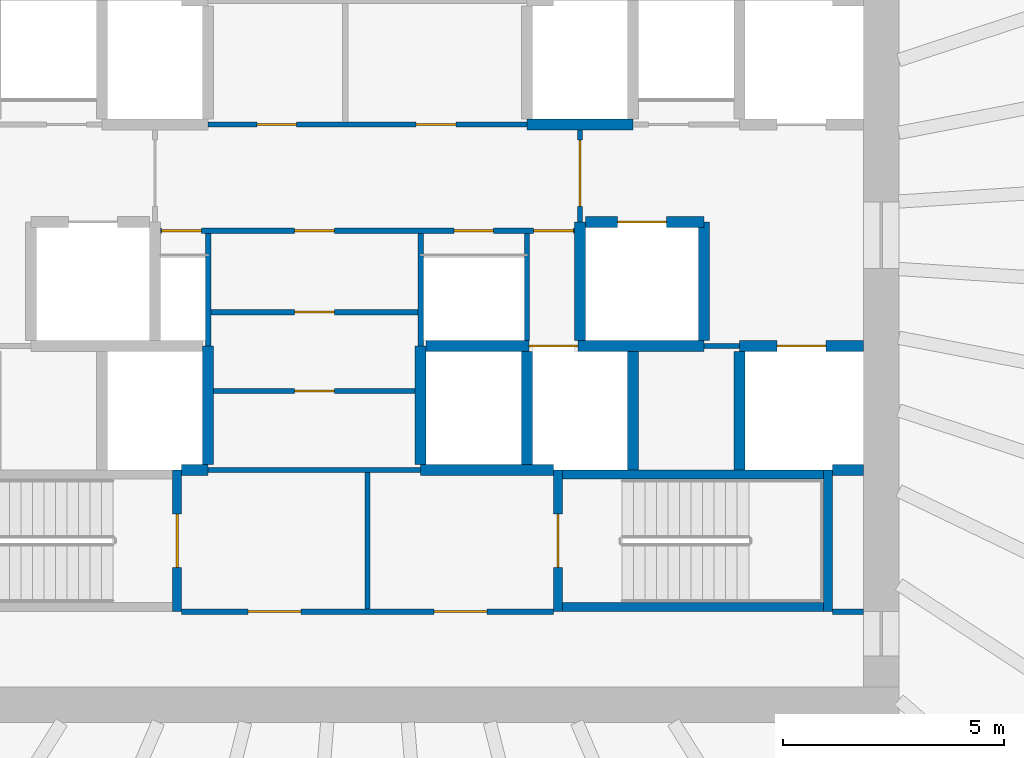
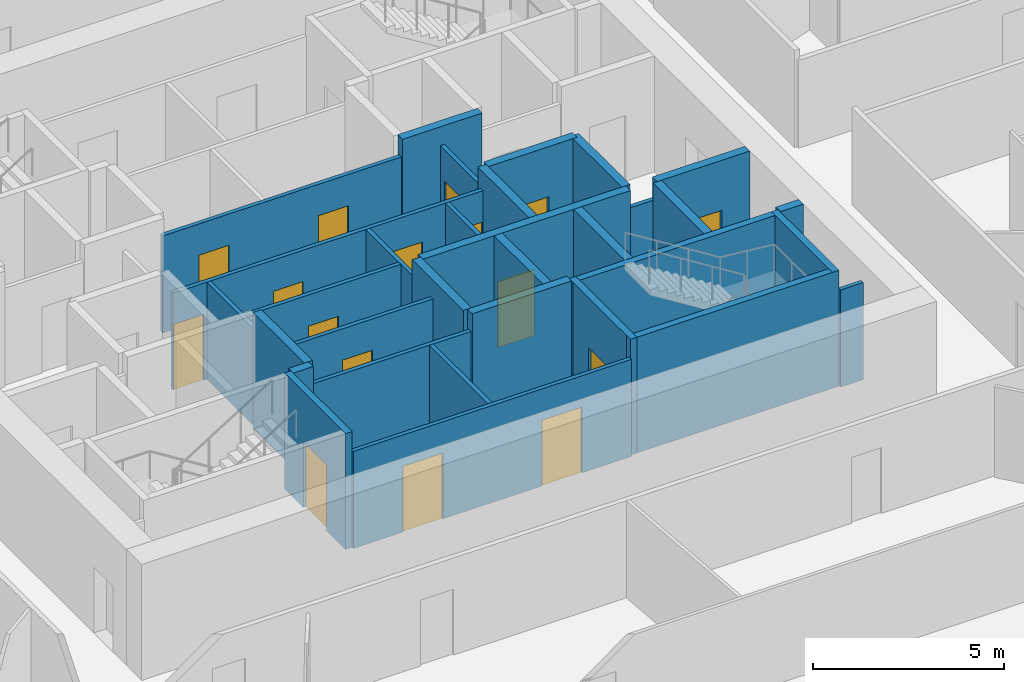
# One storey, part 7 of 11: 32 walls, 16 doors, 16 openings.
"""IFC4 building model written with IfcOpenShell, lengths in metres."""

from ifc_helpers import new_model, si_unit, direction, frame, frame_2d, origin, place, context, subcontext, project, spatial, rectangle, extrude, source, transform, mapped, material, layer, layer_set, type_object, element, fill, save


model = new_model("IFC4")

# Units and contexts
model_context = context("Model", 3, precision=1e-05, world=origin(), true_north=direction((0.0, 1.0)))
body_context = subcontext(model_context, "Body", "Model", "MODEL_VIEW")
ifc_project = project(units=[si_unit("LENGTHUNIT", "METRE"), si_unit("AREAUNIT", "SQUARE_METRE"), si_unit("VOLUMEUNIT", "CUBIC_METRE"), si_unit("PLANEANGLEUNIT", "RADIAN"), si_unit("MASSUNIT", "GRAM", prefix="KILO")], contexts=[model_context])

# Site, building, storey
site_placement = place(None, origin())
site = spatial("IfcSite", under=ifc_project, at=site_placement, CompositionType="ELEMENT")
building_placement = place(site_placement, origin())
building = spatial("IfcBuilding", under=site, at=building_placement, Name="Embergate Tower", CompositionType="ELEMENT")
storey_placement = place(building_placement, frame((0.0, 0.0, 187.199951171875)))
storey = spatial("IfcBuildingStorey", under=building, at=storey_placement, Name="L42", CompositionType="ELEMENT", Elevation=187.199951171875)

# Walls
ifc_material_1 = material(Name="Concrete C50", Category="concrete")
ifc_layer_1 = layer(ifc_material_1, 0.25)
ifc_layer_set_1 = layer_set([ifc_layer_1], Name="Concrete C50")
wall_type_1 = type_object("IfcWallType", Name="Hoistway wall reinforced concrete 250", PredefinedType="SHEAR", material=ifc_layer_set_1)
shared_shape_1 = source(origin(), body_context, "Body", "SweptSolid", [
    extrude(rectangle(XDim=2.675048828125, YDim=0.25, at=frame_2d((1.33740234375, 0.0))), origin(), (0.0, 0.0, 1.0), 3.699951171875),
])
for number, where, z_axis, x_axis, name in (
    (1, (-3.60009765625, -5.175048828125, 0.0), (0.0, 0.0, 1.0), (0.0, 1.0, 0.0), "HW-1 wall"),
    (2, (1.199951171875, -2.5, 0.0), (0.0, 0.0, 1.0), (0.0, -1.0, 0.0), "HW-1 wall"),
    (3, (4.800048828125, -2.375, 0.0), (0.0, 0.0, 1.0), (0.0, 1.0, 0.0), "HW-1 wall"),
):
    element("IfcWall", number, at=place(storey_placement, frame(where, z_axis=z_axis, x_axis=x_axis)), inside=storey, type_object=wall_type_1, Name=name, PredefinedType="SHEAR", context=body_context, shape_type="MappedRepresentation", body=[
        mapped(shared_shape_1, transform((0.0, 0.0, 0.0))),
    ])

# Wall, opening, door
wall_1_placement = place(storey_placement, frame((7.60009765625, 0.300048828125, 0.0), z_axis=(0.0, 0.0, 1.0), x_axis=(-1.0, 0.0, 0.0)))
wall_1 = element("IfcWall", 4, at=wall_1_placement, inside=storey, type_object=wall_type_1, Name="HW-1 wall", PredefinedType="SHEAR", context=body_context, shape_type="MappedRepresentation", body=[
    mapped(shared_shape_1, transform((0.0, 0.0, 0.0))),
])
shared_shape_2 = source(origin(), body_context, "Body", "SweptSolid", [
    extrude(rectangle(XDim=1.10009765625, YDim=2.10009765625, at=frame_2d((0.550048828125, 1.050048828125))), frame((0.0, 0.135009765625, 0.0), z_axis=(0.0, -1.0, 0.0), x_axis=(1.0, 0.0, 0.0)), (0.0, 0.0, 1.0), 0.27001953125),
])
opening_1_placement = place(wall_1_placement, frame((0.85009765625, 0.0, 0.0)))
opening_1 = element("IfcOpeningElement", 5, at=opening_1_placement, cuts=wall_1, Name="Opening LD", PredefinedType="OPENING", context=body_context, shape_type="MappedRepresentation", body=[
    mapped(shared_shape_2, transform((0.0, 0.0, 0.0))),
])
ifc_material_2 = material(Name="Landing door sliding 1100")
door_type_1 = type_object("IfcDoorType", Name="Landing door sliding 1100", OperationType="SLIDING_TO_LEFT", PredefinedType="DOOR", material=ifc_material_2)
shared_shape_3 = source(origin(), body_context, "Body", "SweptSolid", [
    extrude(rectangle(XDim=1.10009765625, YDim=2.10009765625, at=frame_2d((0.550048828125, 1.050048828125))), frame((0.0, 0.02490234375, 0.0), z_axis=(0.0, -1.0, 0.0), x_axis=(1.0, 0.0, 0.0)), (0.0, 0.0, 1.0), 0.050048828125),
])
door_1_placement = place(opening_1_placement, origin())
door_1 = element("IfcDoor", 6, at=door_1_placement, inside=storey, type_object=door_type_1, Name="LD door", OperationType="SLIDING_TO_LEFT", OverallHeight=2.10009765625, OverallWidth=1.10009765625, PredefinedType="DOOR", context=body_context, shape_type="MappedRepresentation", body=[
    mapped(shared_shape_3, transform((0.0, 0.0, 0.0))),
])
fill(opening_1, door_1)

# Walls
wall_2_placement = place(storey_placement, frame((7.60009765625, -2.375, 0.0), z_axis=(0.0, 0.0, 1.0), x_axis=(0.0, 1.0, 0.0)))
element("IfcWall", 7, at=wall_2_placement, inside=storey, type_object=wall_type_1, Name="HW-1 wall", PredefinedType="SHEAR", context=body_context, shape_type="MappedRepresentation", body=[
    mapped(shared_shape_1, transform((0.0, 0.0, 0.0))),
])
ifc_layer_2 = layer(ifc_material_1, 0.199951171875)
ifc_layer_set_2 = layer_set([ifc_layer_2], Name="Concrete C50")
wall_type_2 = type_object("IfcWallType", Name="Stair enclosure wall reinforced concrete 250", PredefinedType="SHEAR", material=ifc_layer_set_2)
shared_shape_4 = source(origin(), body_context, "Body", "SweptSolid", [
    extrude(rectangle(XDim=6.300048828125, YDim=0.199951171875, at=frame_2d((3.14990234375, 0.0))), origin(), (0.0, 0.0, 1.0), 3.699951171875),
])
for number, where, z_axis, x_axis, name in (
    (8, (4.199951171875, -5.39990234375, 0.0), (0.0, 0.0, 1.0), (1.0, 0.0, 0.0), "SE-1 wall"),
    (9, (4.199951171875, -8.39990234375, 0.0), (0.0, 0.0, 1.0), (1.0, 0.0, 0.0), "SE-1 wall"),
):
    element("IfcWall", number, at=place(storey_placement, frame(where, z_axis=z_axis, x_axis=x_axis)), inside=storey, type_object=wall_type_2, Name=name, PredefinedType="SHEAR", context=body_context, shape_type="MappedRepresentation", body=[
        mapped(shared_shape_4, transform((0.0, 0.0, 0.0))),
    ])
shared_shape_5 = source(origin(), body_context, "Body", "SweptSolid", [
    extrude(rectangle(XDim=2.550048828125, YDim=0.25, at=frame_2d((1.27490234375, 0.0))), origin(), (0.0, 0.0, 1.0), 3.699951171875),
])
wall_3_placement = place(storey_placement, frame((3.60009765625, -5.175048828125, 0.0), z_axis=(0.0, 0.0, 1.0), x_axis=(0.0, 1.0, 0.0)))
element("IfcWall", 10, at=wall_3_placement, inside=storey, type_object=wall_type_1, Name="HW-1 wall", PredefinedType="SHEAR", context=body_context, shape_type="MappedRepresentation", body=[
    mapped(shared_shape_5, transform((0.0, 0.0, 0.0))),
])

# Wall, opening, door
ifc_material_3 = material(Name="Core partition blockwork 120")
ifc_layer_3 = layer(ifc_material_3, 0.1201171875)
ifc_layer_set_3 = layer_set([ifc_layer_3], Name="Core partition blockwork 120")
wall_type_3 = type_object("IfcWallType", Name="Core partition blockwork 120", PredefinedType="PARTITIONING", material=ifc_layer_set_3)
shared_shape_6 = source(origin(), body_context, "Body", "SweptSolid", [
    extrude(rectangle(XDim=2.074951171875, YDim=0.1201171875, at=frame_2d((1.03759765625, 0.0))), origin(), (0.0, 0.0, 1.0), 3.10009765625),
])
wall_4_placement = place(storey_placement, frame((4.800048828125, 0.300048828125, 0.0), z_axis=(0.0, 0.0, 1.0), x_axis=(0.0, 1.0, 0.0)))
wall_4 = element("IfcWall", 11, at=wall_4_placement, inside=storey, type_object=wall_type_3, Name="IP-3 wall", PredefinedType="PARTITIONING", context=body_context, shape_type="MappedRepresentation", body=[
    mapped(shared_shape_6, transform((0.0, 0.0, 0.0))),
])
shared_shape_7 = source(origin(), body_context, "Body", "SweptSolid", [
    extrude(rectangle(XDim=1.5, YDim=2.10009765625, at=frame_2d((0.75, 1.050048828125))), frame((0.0, 0.070068359375, 0.0), z_axis=(0.0, -1.0, 0.0), x_axis=(1.0, 0.0, 0.0)), (0.0, 0.0, 1.0), 0.14013671875),
])
opening_2_placement = place(wall_4_placement, frame((0.35009765625, 0.0, 0.0)))
opening_2 = element("IfcOpeningElement", 12, at=opening_2_placement, cuts=wall_4, Name="Opening IF-3", PredefinedType="OPENING", context=body_context, shape_type="MappedRepresentation", body=[
    mapped(shared_shape_7, transform((0.0, 0.0, 0.0))),
])
ifc_material_4 = material(Name="Lobby fire door pair 1500")
door_type_2 = type_object("IfcDoorType", Name="Lobby fire door pair 1500", OperationType="DOUBLE_DOOR_SINGLE_SWING", PredefinedType="DOOR", material=ifc_material_4)
shared_shape_8 = source(origin(), body_context, "Body", "SweptSolid", [
    extrude(rectangle(XDim=1.5, YDim=2.10009765625, at=frame_2d((0.75, 1.050048828125))), frame((0.0, 0.02490234375, 0.0), z_axis=(0.0, -1.0, 0.0), x_axis=(1.0, 0.0, 0.0)), (0.0, 0.0, 1.0), 0.050048828125),
])
door_2_placement = place(opening_2_placement, origin())
door_2 = element("IfcDoor", 13, at=door_2_placement, inside=storey, type_object=door_type_2, Name="IF-3 door", OperationType="DOUBLE_DOOR_SINGLE_SWING", OverallHeight=2.10009765625, OverallWidth=1.5, PredefinedType="DOOR", context=body_context, shape_type="MappedRepresentation", body=[
    mapped(shared_shape_8, transform((0.0, 0.0, 0.0))),
])
fill(opening_2, door_2)

shared_shape_9 = source(origin(), body_context, "Body", "SweptSolid", [
    extrude(rectangle(XDim=3.199951171875, YDim=0.199951171875, at=frame_2d((1.60009765625, 0.0))), origin(), (0.0, 0.0, 1.0), 3.699951171875),
])
wall_5_placement = place(storey_placement, frame((-4.300048828125, -8.5, 0.0), z_axis=(0.0, 0.0, 1.0), x_axis=(0.0, 1.0, 0.0)))
wall_5 = element("IfcWall", 14, at=wall_5_placement, inside=storey, type_object=wall_type_2, Name="SE-1 wall", PredefinedType="SHEAR", context=body_context, shape_type="MappedRepresentation", body=[
    mapped(shared_shape_9, transform((0.0, 0.0, 0.0))),
])
shared_shape_10 = source(origin(), body_context, "Body", "SweptSolid", [
    extrude(rectangle(XDim=1.199951171875, YDim=2.10009765625, at=frame_2d((0.60009765625, 1.050048828125))), frame((0.0, 0.10986328125, 0.0), z_axis=(0.0, -1.0, 0.0), x_axis=(1.0, 0.0, 0.0)), (0.0, 0.0, 1.0), 0.219970703125),
])
opening_3_placement = place(wall_5_placement, frame((1.0, 0.0, 0.0)))
opening_3 = element("IfcOpeningElement", 15, at=opening_3_placement, cuts=wall_5, Name="Opening IF-2", PredefinedType="OPENING", context=body_context, shape_type="MappedRepresentation", body=[
    mapped(shared_shape_10, transform((0.0, 0.0, 0.0))),
])
ifc_material_5 = material(Name="Stair enclosure door 1200")
door_type_3 = type_object("IfcDoorType", Name="Stair enclosure door 1200", OperationType="SINGLE_SWING_LEFT", PredefinedType="DOOR", material=ifc_material_5)
shared_shape_11 = source(origin(), body_context, "Body", "SweptSolid", [
    extrude(rectangle(XDim=1.199951171875, YDim=2.10009765625, at=frame_2d((0.60009765625, 1.050048828125))), frame((0.0, 0.02490234375, 0.0), z_axis=(0.0, -1.0, 0.0), x_axis=(1.0, 0.0, 0.0)), (0.0, 0.0, 1.0), 0.050048828125),
])
door_3_placement = place(opening_3_placement, origin())
door_3 = element("IfcDoor", 16, at=door_3_placement, inside=storey, type_object=door_type_3, Name="IF-2 door", OperationType="SINGLE_SWING_LEFT", OverallHeight=2.10009765625, OverallWidth=1.199951171875, PredefinedType="DOOR", context=body_context, shape_type="MappedRepresentation", body=[
    mapped(shared_shape_11, transform((0.0, 0.0, 0.0))),
])
fill(opening_3, door_3)

wall_6_placement = place(storey_placement, frame((4.300048828125, -5.300048828125, 0.0), z_axis=(0.0, 0.0, 1.0), x_axis=(0.0, -1.0, 0.0)))
wall_6 = element("IfcWall", 17, at=wall_6_placement, inside=storey, type_object=wall_type_2, Name="SE-1 wall", PredefinedType="SHEAR", context=body_context, shape_type="MappedRepresentation", body=[
    mapped(shared_shape_9, transform((0.0, 0.0, 0.0))),
])
opening_4_placement = place(wall_6_placement, frame((1.0, 0.0, 0.0)))
opening_4 = element("IfcOpeningElement", 18, at=opening_4_placement, cuts=wall_6, Name="Opening IF-2", PredefinedType="OPENING", context=body_context, shape_type="MappedRepresentation", body=[
    mapped(shared_shape_10, transform((0.0, 0.0, 0.0))),
])
door_4_placement = place(opening_4_placement, origin())
door_4 = element("IfcDoor", 19, at=door_4_placement, inside=storey, type_object=door_type_3, Name="IF-2 door", OperationType="SINGLE_SWING_RIGHT", OverallHeight=2.10009765625, OverallWidth=1.199951171875, PredefinedType="DOOR", context=body_context, shape_type="MappedRepresentation", body=[
    mapped(shared_shape_11, transform((0.0, 0.0, 0.0))),
])
fill(opening_4, door_4)

# Wall
shared_shape_12 = source(origin(), body_context, "Body", "SweptSolid", [
    extrude(rectangle(XDim=2.39990234375, YDim=0.25, at=frame_2d((1.199951171875, 0.0))), origin(), (0.0, 0.0, 1.0), 3.699951171875),
])
wall_7_placement = place(storey_placement, frame((3.60009765625, 2.5, 0.0), z_axis=(0.0, 0.0, 1.0), x_axis=(1.0, 0.0, 0.0)))
element("IfcWall", 20, at=wall_7_placement, inside=storey, type_object=wall_type_1, Name="HW-1 wall", PredefinedType="SHEAR", context=body_context, shape_type="MappedRepresentation", body=[
    mapped(shared_shape_12, transform((0.0, 0.0, 0.0))),
])

# Wall, openings, doors
shared_shape_13 = source(origin(), body_context, "Body", "SweptSolid", [
    extrude(rectangle(XDim=8.39990234375, YDim=0.1201171875, at=frame_2d((4.199951171875, 0.0))), origin(), (0.0, 0.0, 1.0), 3.10009765625),
])
wall_8_placement = place(storey_placement, frame((-4.199951171875, -8.5, 0.0), z_axis=(0.0, 0.0, 1.0), x_axis=(1.0, 0.0, 0.0)))
wall_8 = element("IfcWall", 21, at=wall_8_placement, inside=storey, type_object=wall_type_3, Name="IP-3 wall", PredefinedType="PARTITIONING", context=body_context, shape_type="MappedRepresentation", body=[
    mapped(shared_shape_13, transform((0.0, 0.0, 0.0))),
])
shared_shape_14 = source(origin(), body_context, "Body", "SweptSolid", [
    extrude(rectangle(XDim=1.199951171875, YDim=2.10009765625, at=frame_2d((0.60009765625, 1.050048828125))), frame((0.0, 0.070068359375, 0.0), z_axis=(0.0, -1.0, 0.0), x_axis=(1.0, 0.0, 0.0)), (0.0, 0.0, 1.0), 0.14013671875),
])
opening_5_placement = place(wall_8_placement, frame((1.5, 0.0, 0.0)))
opening_5 = element("IfcOpeningElement", 22, at=opening_5_placement, cuts=wall_8, Name="Opening IF-3f", PredefinedType="OPENING", context=body_context, shape_type="MappedRepresentation", body=[
    mapped(shared_shape_14, transform((0.0, 0.0, 0.0))),
])
opening_6_placement = place(wall_8_placement, frame((5.699951171875, 0.0, 0.0)))
opening_6 = element("IfcOpeningElement", 23, at=opening_6_placement, cuts=wall_8, Name="Opening IF-3f", PredefinedType="OPENING", context=body_context, shape_type="MappedRepresentation", body=[
    mapped(shared_shape_14, transform((0.0, 0.0, 0.0))),
])
ifc_material_6 = material(Name="Lobby fire door pair 1200")
door_type_4 = type_object("IfcDoorType", Name="Lobby fire door pair 1200", OperationType="DOUBLE_DOOR_SINGLE_SWING", PredefinedType="DOOR", material=ifc_material_6)
door_5_placement = place(opening_5_placement, origin())
door_5 = element("IfcDoor", 24, at=door_5_placement, inside=storey, type_object=door_type_4, Name="IF-3 door", OperationType="DOUBLE_DOOR_SINGLE_SWING", OverallHeight=2.10009765625, OverallWidth=1.199951171875, PredefinedType="DOOR", context=body_context, shape_type="MappedRepresentation", body=[
    mapped(shared_shape_11, transform((0.0, 0.0, 0.0))),
])
fill(opening_5, door_5)
door_6_placement = place(opening_6_placement, origin())
door_6 = element("IfcDoor", 25, at=door_6_placement, inside=storey, type_object=door_type_4, Name="IF-3 door", OperationType="DOUBLE_DOOR_SINGLE_SWING", OverallHeight=2.10009765625, OverallWidth=1.199951171875, PredefinedType="DOOR", context=body_context, shape_type="MappedRepresentation", body=[
    mapped(shared_shape_11, transform((0.0, 0.0, 0.0))),
])
fill(opening_6, door_6)

# Wall, opening, door
shared_shape_15 = source(origin(), body_context, "Body", "SweptSolid", [
    extrude(rectangle(XDim=2.800048828125, YDim=0.25, at=frame_2d((1.39990234375, 0.0))), origin(), (0.0, 0.0, 1.0), 3.699951171875),
])
wall_9_placement = place(storey_placement, frame((11.199951171875, -2.5, 0.0), z_axis=(0.0, 0.0, 1.0), x_axis=(-1.0, 0.0, 0.0)))
wall_9 = element("IfcWall", 26, at=wall_9_placement, inside=storey, type_object=wall_type_1, Name="HW-1 wall", PredefinedType="SHEAR", context=body_context, shape_type="MappedRepresentation", body=[
    mapped(shared_shape_15, transform((0.0, 0.0, 0.0))),
])
opening_7_placement = place(wall_9_placement, frame((0.85009765625, 0.0, 0.0)))
opening_7 = element("IfcOpeningElement", 27, at=opening_7_placement, cuts=wall_9, Name="Opening LD", PredefinedType="OPENING", context=body_context, shape_type="MappedRepresentation", body=[
    mapped(shared_shape_2, transform((0.0, 0.0, 0.0))),
])
door_7_placement = place(opening_7_placement, origin())
door_7 = element("IfcDoor", 28, at=door_7_placement, inside=storey, type_object=door_type_1, Name="LD door", OperationType="SLIDING_TO_LEFT", OverallHeight=2.10009765625, OverallWidth=1.10009765625, PredefinedType="DOOR", context=body_context, shape_type="MappedRepresentation", body=[
    mapped(shared_shape_3, transform((0.0, 0.0, 0.0))),
])
fill(opening_7, door_7)

# Wall
shared_shape_16 = source(origin(), body_context, "Body", "SweptSolid", [
    extrude(rectangle(XDim=0.599853515625, YDim=0.25, at=frame_2d((0.2998046875, 0.0))), origin(), (0.0, 0.0, 1.0), 3.699951171875),
])
wall_10_placement = place(storey_placement, frame((-4.199951171875, -5.300048828125, 0.0), z_axis=(0.0, 0.0, 1.0), x_axis=(1.0, 0.0, 0.0)))
element("IfcWall", 29, at=wall_10_placement, inside=storey, type_object=wall_type_1, Name="HW-1 wall", PredefinedType="SHEAR", context=body_context, shape_type="MappedRepresentation", body=[
    mapped(shared_shape_16, transform((0.0, 0.0, 0.0))),
])

# Wall, opening, door
shared_shape_17 = source(origin(), body_context, "Body", "SweptSolid", [
    extrude(rectangle(XDim=6.27294921875, YDim=0.25, at=frame_2d((3.136474609375, 0.0))), origin(), (0.0, 0.0, 1.0), 3.699951171875),
])
wall_11_placement = place(storey_placement, frame((7.597900390625, -2.5, 0.0), z_axis=(0.0, 0.0, 1.0), x_axis=(-1.0, 0.0, 0.0)))
wall_11 = element("IfcWall", 30, at=wall_11_placement, inside=storey, type_object=wall_type_1, Name="HW-1 wall", PredefinedType="SHEAR", context=body_context, shape_type="MappedRepresentation", body=[
    mapped(shared_shape_17, transform((0.0, 0.0, 0.0))),
])
opening_8_placement = place(wall_11_placement, frame((2.847900390625, 0.0, 0.0)))
opening_8 = element("IfcOpeningElement", 31, at=opening_8_placement, cuts=wall_11, Name="Opening LD", PredefinedType="OPENING", context=body_context, shape_type="MappedRepresentation", body=[
    mapped(shared_shape_2, transform((0.0, 0.0, 0.0))),
])
door_8_placement = place(opening_8_placement, origin())
door_8 = element("IfcDoor", 32, at=door_8_placement, inside=storey, type_object=door_type_1, Name="LD door", OperationType="SLIDING_TO_LEFT", OverallHeight=2.10009765625, OverallWidth=1.10009765625, PredefinedType="DOOR", context=body_context, shape_type="MappedRepresentation", body=[
    mapped(shared_shape_3, transform((0.0, 0.0, 0.0))),
])
fill(opening_8, door_8)

# Wall
shared_shape_18 = source(origin(), body_context, "Body", "SweptSolid", [
    extrude(rectangle(XDim=3.0, YDim=0.25, at=frame_2d((1.5, 0.0))), origin(), (0.0, 0.0, 1.0), 3.699951171875),
])
wall_12_placement = place(storey_placement, frame((1.199951171875, -5.300048828125, 0.0), z_axis=(0.0, 0.0, 1.0), x_axis=(1.0, 0.0, 0.0)))
element("IfcWall", 33, at=wall_12_placement, inside=storey, type_object=wall_type_1, Name="HW-1 wall", PredefinedType="SHEAR", context=body_context, shape_type="MappedRepresentation", body=[
    mapped(shared_shape_18, transform((0.0, 0.0, 0.0))),
])

# Wall, openings, doors
shared_shape_19 = source(origin(), body_context, "Body", "SweptSolid", [
    extrude(rectangle(XDim=9.35009765625, YDim=0.1201171875, at=frame_2d((4.675048828125, 0.0))), origin(), (0.0, 0.0, 1.0), 3.10009765625),
])
wall_13_placement = place(storey_placement, frame((-4.675048828125, 0.10009765625, 0.0), z_axis=(0.0, 0.0, 1.0), x_axis=(1.0, 0.0, 0.0)))
wall_13 = element("IfcWall", 34, at=wall_13_placement, inside=storey, type_object=wall_type_3, Name="IP-3 wall", PredefinedType="PARTITIONING", context=body_context, shape_type="MappedRepresentation", body=[
    mapped(shared_shape_19, transform((0.0, 0.0, 0.0))),
])
shared_shape_20 = source(origin(), body_context, "Body", "SweptSolid", [
    extrude(rectangle(XDim=0.89990234375, YDim=2.10009765625, at=frame_2d((0.449951171875, 1.050048828125))), frame((0.0, 0.070068359375, 0.0), z_axis=(0.0, -1.0, 0.0), x_axis=(1.0, 0.0, 0.0)), (0.0, 0.0, 1.0), 0.14013671875),
])
opening_9_placement = place(wall_13_placement, frame((8.425048828125, 0.0, 0.0)))
opening_9 = element("IfcOpeningElement", 35, at=opening_9_placement, cuts=wall_13, Name="Opening IF-3c", PredefinedType="OPENING", context=body_context, shape_type="MappedRepresentation", body=[
    mapped(shared_shape_20, transform((0.0, 0.0, 0.0))),
])
opening_10_placement = place(wall_13_placement, frame((0.02490234375, 0.0, 0.0)))
opening_10 = element("IfcOpeningElement", 36, at=opening_10_placement, cuts=wall_13, Name="Opening ID-1", PredefinedType="OPENING", context=body_context, shape_type="MappedRepresentation", body=[
    mapped(shared_shape_20, transform((0.0, 0.0, 0.0))),
])
opening_11_placement = place(wall_13_placement, frame((6.625, 0.0, 0.0)))
opening_11 = element("IfcOpeningElement", 37, at=opening_11_placement, cuts=wall_13, Name="Opening ID-1", PredefinedType="OPENING", context=body_context, shape_type="MappedRepresentation", body=[
    mapped(shared_shape_20, transform((0.0, 0.0, 0.0))),
])
opening_12_placement = place(wall_13_placement, frame((3.02490234375, 0.0, 0.0)))
opening_12 = element("IfcOpeningElement", 38, at=opening_12_placement, cuts=wall_13, Name="Opening ID-1", PredefinedType="OPENING", context=body_context, shape_type="MappedRepresentation", body=[
    mapped(shared_shape_20, transform((0.0, 0.0, 0.0))),
])
ifc_material_7 = material(Name="Lobby fire door pair 900")
door_type_5 = type_object("IfcDoorType", Name="Lobby fire door pair 900", OperationType="DOUBLE_DOOR_SINGLE_SWING", PredefinedType="DOOR", material=ifc_material_7)
shared_shape_21 = source(origin(), body_context, "Body", "SweptSolid", [
    extrude(rectangle(XDim=0.89990234375, YDim=2.10009765625, at=frame_2d((0.449951171875, 1.050048828125))), frame((0.0, 0.02490234375, 0.0), z_axis=(0.0, -1.0, 0.0), x_axis=(1.0, 0.0, 0.0)), (0.0, 0.0, 1.0), 0.050048828125),
])
door_9_placement = place(opening_9_placement, origin())
door_9 = element("IfcDoor", 39, at=door_9_placement, inside=storey, type_object=door_type_5, Name="IF-3 door", OperationType="DOUBLE_DOOR_SINGLE_SWING", OverallHeight=2.10009765625, OverallWidth=0.89990234375, PredefinedType="DOOR", context=body_context, shape_type="MappedRepresentation", body=[
    mapped(shared_shape_21, transform((0.0, 0.0, 0.0))),
])
fill(opening_9, door_9)
ifc_material_8 = material(Name="Interior door 900")
door_type_6 = type_object("IfcDoorType", Name="Interior door 900", OperationType="SINGLE_SWING_LEFT", PredefinedType="DOOR", material=ifc_material_8)
door_10_placement = place(opening_10_placement, origin())
door_10 = element("IfcDoor", 40, at=door_10_placement, inside=storey, type_object=door_type_6, Name="ID-1 door", OperationType="SINGLE_SWING_LEFT", OverallHeight=2.10009765625, OverallWidth=0.89990234375, PredefinedType="DOOR", context=body_context, shape_type="MappedRepresentation", body=[
    mapped(shared_shape_21, transform((0.0, 0.0, 0.0))),
])
fill(opening_10, door_10)
door_11_placement = place(opening_11_placement, origin())
door_11 = element("IfcDoor", 41, at=door_11_placement, inside=storey, type_object=door_type_6, Name="ID-1 door", OperationType="SINGLE_SWING_RIGHT", OverallHeight=2.10009765625, OverallWidth=0.89990234375, PredefinedType="DOOR", context=body_context, shape_type="MappedRepresentation", body=[
    mapped(shared_shape_21, transform((0.0, 0.0, 0.0))),
])
fill(opening_11, door_11)
door_12_placement = place(opening_12_placement, origin())
door_12 = element("IfcDoor", 42, at=door_12_placement, inside=storey, type_object=door_type_6, Name="ID-1 door", OperationType="SINGLE_SWING_RIGHT", OverallHeight=2.10009765625, OverallWidth=0.89990234375, PredefinedType="DOOR", context=body_context, shape_type="MappedRepresentation", body=[
    mapped(shared_shape_21, transform((0.0, 0.0, 0.0))),
])
fill(opening_12, door_12)

shared_shape_22 = source(origin(), body_context, "Body", "SweptSolid", [
    extrude(rectangle(XDim=7.2001953125, YDim=0.1201171875, at=frame_2d((3.60009765625, 0.0))), origin(), (0.0, 0.0, 1.0), 3.10009765625),
])
wall_14_placement = place(storey_placement, frame((3.60009765625, 2.5, 0.0), z_axis=(0.0, 0.0, 1.0), x_axis=(-1.0, 0.0, 0.0)))
wall_14 = element("IfcWall", 43, at=wall_14_placement, inside=storey, type_object=wall_type_3, Name="IP-3 wall", PredefinedType="PARTITIONING", context=body_context, shape_type="MappedRepresentation", body=[
    mapped(shared_shape_22, transform((0.0, 0.0, 0.0))),
])
opening_13_placement = place(wall_14_placement, frame((5.201904296875, 0.0, 0.0)))
opening_13 = element("IfcOpeningElement", 44, at=opening_13_placement, cuts=wall_14, Name="Opening ID-1", PredefinedType="OPENING", context=body_context, shape_type="MappedRepresentation", body=[
    mapped(shared_shape_20, transform((0.0, 0.0, 0.0))),
])
opening_14_placement = place(wall_14_placement, frame((1.60205078125, 0.0, 0.0)))
opening_14 = element("IfcOpeningElement", 45, at=opening_14_placement, cuts=wall_14, Name="Opening ID-1", PredefinedType="OPENING", context=body_context, shape_type="MappedRepresentation", body=[
    mapped(shared_shape_20, transform((0.0, 0.0, 0.0))),
])
door_13_placement = place(opening_13_placement, origin())
door_13 = element("IfcDoor", 46, at=door_13_placement, inside=storey, type_object=door_type_6, Name="ID-1 door", OperationType="SINGLE_SWING_RIGHT", OverallHeight=2.10009765625, OverallWidth=0.89990234375, PredefinedType="DOOR", context=body_context, shape_type="MappedRepresentation", body=[
    mapped(shared_shape_21, transform((0.0, 0.0, 0.0))),
])
fill(opening_13, door_13)
door_14_placement = place(opening_14_placement, origin())
door_14 = element("IfcDoor", 47, at=door_14_placement, inside=storey, type_object=door_type_6, Name="ID-1 door", OperationType="SINGLE_SWING_RIGHT", OverallHeight=2.10009765625, OverallWidth=0.89990234375, PredefinedType="DOOR", context=body_context, shape_type="MappedRepresentation", body=[
    mapped(shared_shape_21, transform((0.0, 0.0, 0.0))),
])
fill(opening_14, door_14)

# Walls
shared_shape_23 = source(origin(), body_context, "Body", "SweptSolid", [
    extrude(rectangle(XDim=2.5400390625, YDim=0.1201171875, at=frame_2d((1.27001953125, 0.0))), origin(), (0.0, 0.0, 1.0), 3.10009765625),
])
for number, where, z_axis, x_axis, name in (
    (48, (-3.60009765625, -2.5, 0.0), (0.0, 0.0, 1.0), (0.0, 1.0, 0.0), "IP-3 wall"),
    (49, (1.199951171875, 0.0400390625, 0.0), (0.0, 0.0, 1.0), (0.0, -1.0, 0.0), "IP-3 wall"),
):
    element("IfcWall", number, at=place(storey_placement, frame(where, z_axis=z_axis, x_axis=x_axis)), inside=storey, type_object=wall_type_3, Name=name, PredefinedType="PARTITIONING", context=body_context, shape_type="MappedRepresentation", body=[
        mapped(shared_shape_23, transform((0.0, 0.0, 0.0))),
    ])
shared_shape_24 = source(origin(), body_context, "Body", "SweptSolid", [
    extrude(rectangle(XDim=2.4150390625, YDim=0.1201171875, at=frame_2d((1.20751953125, 0.0))), origin(), (0.0, 0.0, 1.0), 3.10009765625),
])
wall_15_placement = place(storey_placement, frame((3.60009765625, -2.375, 0.0), z_axis=(0.0, 0.0, 1.0), x_axis=(0.0, 1.0, 0.0)))
element("IfcWall", 50, at=wall_15_placement, inside=storey, type_object=wall_type_3, Name="IP-3 wall", PredefinedType="PARTITIONING", context=body_context, shape_type="MappedRepresentation", body=[
    mapped(shared_shape_24, transform((0.0, 0.0, 0.0))),
])
shared_shape_25 = source(origin(), body_context, "Body", "SweptSolid", [
    extrude(rectangle(XDim=3.079833984375, YDim=0.1201171875, at=frame_2d((1.5400390625, 0.0))), origin(), (0.0, 0.0, 1.0), 3.10009765625),
])
wall_16_placement = place(storey_placement, frame((0.0, -8.43994140625, 0.0), z_axis=(0.0, 0.0, 1.0), x_axis=(0.0, 1.0, 0.0)))
element("IfcWall", 51, at=wall_16_placement, inside=storey, type_object=wall_type_3, Name="IP-3 wall", PredefinedType="PARTITIONING", context=body_context, shape_type="MappedRepresentation", body=[
    mapped(shared_shape_25, transform((0.0, 0.0, 0.0))),
])
shared_shape_26 = source(origin(), body_context, "Body", "SweptSolid", [
    extrude(rectangle(XDim=4.800048828125, YDim=0.1201171875, at=frame_2d((2.39990234375, 0.0))), origin(), (0.0, 0.0, 1.0), 3.10009765625),
])
wall_17_placement = place(storey_placement, frame((1.199951171875, -5.300048828125, 0.0), z_axis=(0.0, 0.0, 1.0), x_axis=(-1.0, 0.0, 0.0)))
element("IfcWall", 52, at=wall_17_placement, inside=storey, type_object=wall_type_3, Name="IP-3 wall", PredefinedType="PARTITIONING", context=body_context, shape_type="MappedRepresentation", body=[
    mapped(shared_shape_26, transform((0.0, 0.0, 0.0))),
])

# Wall, opening, door
shared_shape_27 = source(origin(), body_context, "Body", "SweptSolid", [
    extrude(rectangle(XDim=4.550048828125, YDim=0.1201171875, at=frame_2d((2.27490234375, 0.0))), origin(), (0.0, 0.0, 1.0), 3.10009765625),
])
wall_18_placement = place(storey_placement, frame((1.074951171875, -3.51806640625, 0.0), z_axis=(0.0, 0.0, 1.0), x_axis=(-1.0, 0.0, 0.0)))
wall_18 = element("IfcWall", 53, at=wall_18_placement, inside=storey, type_object=wall_type_3, Name="IP-3 wall", PredefinedType="PARTITIONING", context=body_context, shape_type="MappedRepresentation", body=[
    mapped(shared_shape_27, transform((0.0, 0.0, 0.0))),
])
opening_15_placement = place(wall_18_placement, frame((1.824951171875, 0.0, 0.0)))
opening_15 = element("IfcOpeningElement", 54, at=opening_15_placement, cuts=wall_18, Name="Opening ID-1", PredefinedType="OPENING", context=body_context, shape_type="MappedRepresentation", body=[
    mapped(shared_shape_20, transform((0.0, 0.0, 0.0))),
])
door_15_placement = place(opening_15_placement, origin())
door_15 = element("IfcDoor", 55, at=door_15_placement, inside=storey, type_object=door_type_6, Name="ID-1 door", OperationType="SINGLE_SWING_LEFT", OverallHeight=2.10009765625, OverallWidth=0.89990234375, PredefinedType="DOOR", context=body_context, shape_type="MappedRepresentation", body=[
    mapped(shared_shape_21, transform((0.0, 0.0, 0.0))),
])
fill(opening_15, door_15)

# Walls
shared_shape_28 = source(origin(), body_context, "Body", "SweptSolid", [
    extrude(rectangle(XDim=3.196044921875, YDim=0.199951171875, at=frame_2d((1.59814453125, 0.0))), origin(), (0.0, 0.0, 1.0), 3.699951171875),
])
wall_19_placement = place(storey_placement, frame((10.39990234375, -8.498046875, 0.0), z_axis=(0.0, 0.0, 1.0), x_axis=(0.0, 1.0, 0.0)))
element("IfcWall", 56, at=wall_19_placement, inside=storey, type_object=wall_type_2, Name="SE-1 wall", PredefinedType="SHEAR", context=body_context, shape_type="MappedRepresentation", body=[
    mapped(shared_shape_28, transform((0.0, 0.0, 0.0))),
])
shared_shape_29 = source(origin(), body_context, "Body", "SweptSolid", [
    extrude(rectangle(XDim=0.697998046875, YDim=0.25, at=frame_2d((0.34912109375, 0.0))), origin(), (0.0, 0.0, 1.0), 3.699951171875),
])
wall_20_placement = place(storey_placement, frame((10.501953125, -5.300048828125, 0.0), z_axis=(0.0, 0.0, 1.0), x_axis=(1.0, 0.0, 0.0)))
element("IfcWall", 57, at=wall_20_placement, inside=storey, type_object=wall_type_1, Name="HW-1 wall", PredefinedType="SHEAR", context=body_context, shape_type="MappedRepresentation", body=[
    mapped(shared_shape_29, transform((0.0, 0.0, 0.0))),
])
shared_shape_30 = source(origin(), body_context, "Body", "SweptSolid", [
    extrude(rectangle(XDim=2.671142578125, YDim=0.25, at=frame_2d((1.33544921875, 0.0))), origin(), (0.0, 0.0, 1.0), 3.699951171875),
])
for number, where, z_axis, x_axis, name in (
    (58, (6.0, -5.298095703125, 0.0), (0.0, 0.0, 1.0), (0.0, 1.0, 0.0), "HW-1 wall"),
    (59, (8.39990234375, -2.626953125, 0.0), (0.0, 0.0, 1.0), (0.0, -1.0, 0.0), "HW-1 wall"),
):
    element("IfcWall", number, at=place(storey_placement, frame(where, z_axis=z_axis, x_axis=x_axis)), inside=storey, type_object=wall_type_1, Name=name, PredefinedType="SHEAR", context=body_context, shape_type="MappedRepresentation", body=[
        mapped(shared_shape_30, transform((0.0, 0.0, 0.0))),
    ])
shared_shape_31 = source(origin(), body_context, "Body", "SweptSolid", [
    extrude(rectangle(XDim=0.7958984375, YDim=0.1201171875, at=frame_2d((0.39794921875, 0.0))), origin(), (0.0, 0.0, 1.0), 3.10009765625),
])
wall_21_placement = place(storey_placement, frame((7.60205078125, -2.5, 0.0), z_axis=(0.0, 0.0, 1.0), x_axis=(1.0, 0.0, 0.0)))
element("IfcWall", 60, at=wall_21_placement, inside=storey, type_object=wall_type_3, Name="IP-3 wall", PredefinedType="PARTITIONING", context=body_context, shape_type="MappedRepresentation", body=[
    mapped(shared_shape_31, transform((0.0, 0.0, 0.0))),
])
shared_shape_32 = source(origin(), body_context, "Body", "SweptSolid", [
    extrude(rectangle(XDim=0.697998046875, YDim=0.1201171875, at=frame_2d((0.34912109375, 0.0))), origin(), (0.0, 0.0, 1.0), 3.10009765625),
])
wall_22_placement = place(storey_placement, frame((11.199951171875, -8.5, 0.0), z_axis=(0.0, 0.0, 1.0), x_axis=(-1.0, 0.0, 0.0)))
element("IfcWall", 61, at=wall_22_placement, inside=storey, type_object=wall_type_3, Name="IP-3 wall", PredefinedType="PARTITIONING", context=body_context, shape_type="MappedRepresentation", body=[
    mapped(shared_shape_32, transform((0.0, 0.0, 0.0))),
])

# Wall, opening, door
shared_shape_33 = source(origin(), body_context, "Body", "SweptSolid", [
    extrude(rectangle(XDim=4.679931640625, YDim=0.1201171875, at=frame_2d((2.33984375, 0.0))), origin(), (0.0, 0.0, 1.0), 3.10009765625),
])
wall_23_placement = place(storey_placement, frame((1.139892578125, -1.736083984375, 0.0), z_axis=(0.0, 0.0, 1.0), x_axis=(-1.0, 0.0, 0.0)))
wall_23 = element("IfcWall", 62, at=wall_23_placement, inside=storey, type_object=wall_type_3, Name="IP-3 wall", PredefinedType="PARTITIONING", context=body_context, shape_type="MappedRepresentation", body=[
    mapped(shared_shape_33, transform((0.0, 0.0, 0.0))),
])
opening_16_placement = place(wall_23_placement, frame((1.889892578125, 0.0, 0.0)))
opening_16 = element("IfcOpeningElement", 63, at=opening_16_placement, cuts=wall_23, Name="Opening ID-1", PredefinedType="OPENING", context=body_context, shape_type="MappedRepresentation", body=[
    mapped(shared_shape_20, transform((0.0, 0.0, 0.0))),
])
door_16_placement = place(opening_16_placement, origin())
door_16 = element("IfcDoor", 64, at=door_16_placement, inside=storey, type_object=door_type_6, Name="ID-1 door", OperationType="SINGLE_SWING_LEFT", OverallHeight=2.10009765625, OverallWidth=0.89990234375, PredefinedType="DOOR", context=body_context, shape_type="MappedRepresentation", body=[
    mapped(shared_shape_21, transform((0.0, 0.0, 0.0))),
])
fill(opening_16, door_16)

save(model, "model.ifc")
